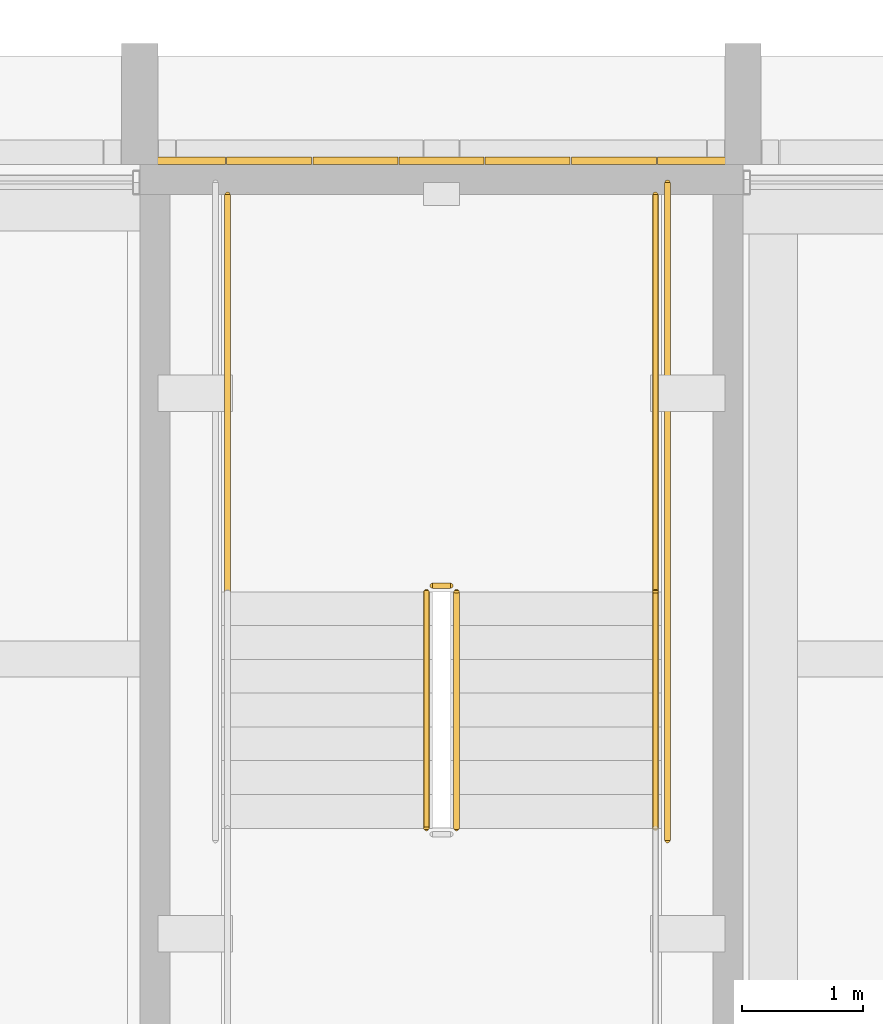
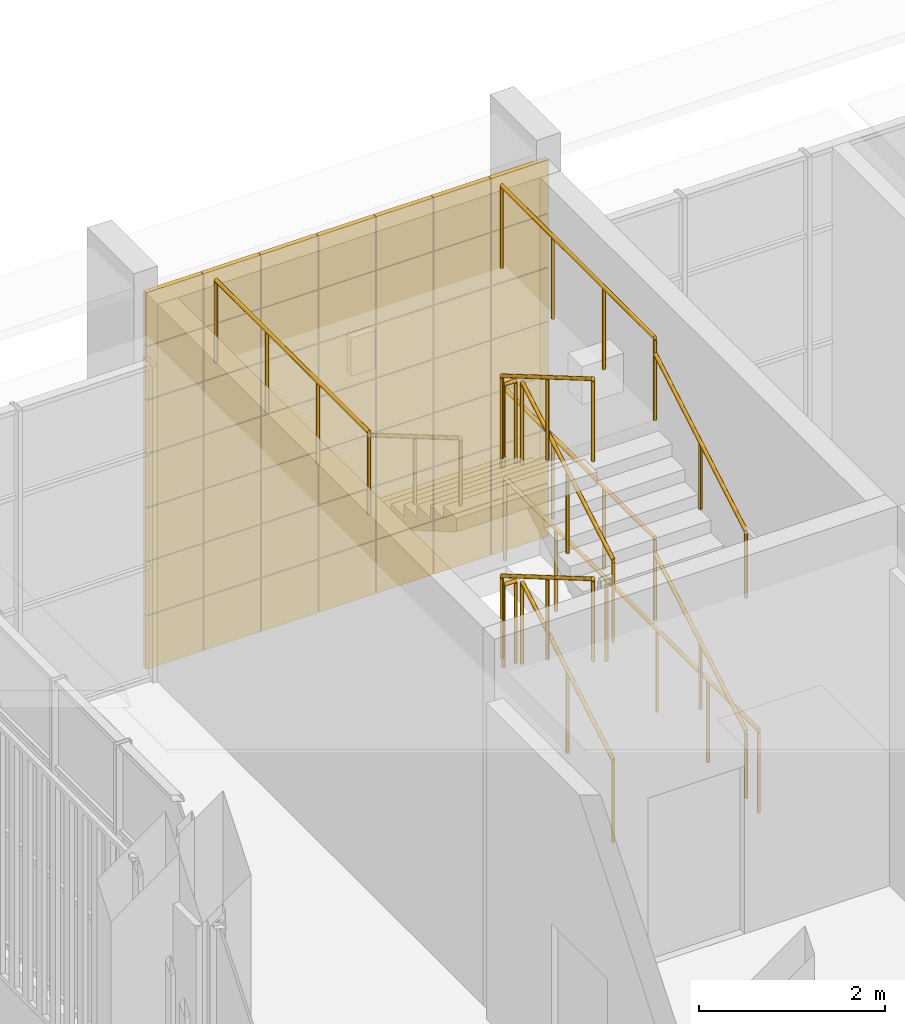
# One storey, part 122 of 125: 12 railings, 1 covering.
"""IFC4 building model written with IfcOpenShell, lengths in metres."""

from ifc_helpers import new_model, si_unit, direction, frame, origin, origin_2d, place, context, subcontext, project, spatial, rectangle, circle, extrude, material, layer, layer_set, type_object, element, save


model = new_model("IFC4")

# Units and contexts
model_context = context("Model", 3, precision=1e-05, world=origin(), true_north=direction((0.0, 1.0)))
body_context = subcontext(model_context, "Body", "Model", "MODEL_VIEW")
ifc_project = project(units=[si_unit("LENGTHUNIT", "METRE"), si_unit("AREAUNIT", "SQUARE_METRE"), si_unit("VOLUMEUNIT", "CUBIC_METRE"), si_unit("PLANEANGLEUNIT", "RADIAN"), si_unit("MASSUNIT", "GRAM", prefix="KILO")], contexts=[model_context])

# Site, building, storey
site_placement = place(None, origin())
site = spatial("IfcSite", under=ifc_project, at=site_placement, CompositionType="ELEMENT")
building_placement = place(site_placement, origin())
building = spatial("IfcBuilding", under=site, at=building_placement, Name="Sun Court Science Centre", CompositionType="ELEMENT")
storey_placement = place(building_placement, frame((0.0, 0.0, 6.0)))
storey = spatial("IfcBuildingStorey", under=building, at=storey_placement, Name="L01", CompositionType="ELEMENT", Elevation=6.0)

# Railings
ifc_material_1 = material(Name="Steel S275", Category="steel")
railing_type_1 = type_object("IfcRailingType", Name="Guard 1100 steel balustrade", PredefinedType="GUARDRAIL", material=ifc_material_1)
railing_1_placement = place(storey_placement, frame((84.625, 75.498046875, 0.1640625)))
element("IfcRailing", 1, at=railing_1_placement, inside=storey, type_object=railing_type_1, Name="L01 SL4 stair guard 1", PredefinedType="GUARDRAIL", context=body_context, shape_type="SweptSolid", body=[
    extrude(circle(Radius=0.02392578125, at=origin_2d()), frame((0.0, 0.0, 1.076171875), z_axis=(0.0, 0.862794965445, 0.505554000679), x_axis=(-1.0, 0.0, 0.0)), (0.0, 0.0, 1.0), 2.271728515625),
    extrude(circle(Radius=0.02099609375, at=origin_2d()), origin(), (0.0, 0.0, 1.0), 1.052001953125),
    extrude(circle(Radius=0.02099609375, at=origin_2d()), frame((0.0, 0.97998046875, 0.57421875)), (0.0, 0.0, 1.0), 1.052001953125),
    extrude(circle(Radius=0.02099609375, at=origin_2d()), frame((0.0, 1.9599609375, 1.1484375)), (0.0, 0.0, 1.0), 1.052001953125),
])
railing_2_placement = place(storey_placement, frame((84.574951171875, 77.508056640625, 1.3125)))
element("IfcRailing", 2, at=railing_2_placement, inside=storey, type_object=railing_type_1, Name="L01 SL4 stair guard 2", PredefinedType="GUARDRAIL", context=body_context, shape_type="SweptSolid", body=[
    extrude(circle(Radius=0.02392578125, at=origin_2d()), frame((0.0, 0.0, 1.076171875), z_axis=(-1.0, 0.0, 0.0), x_axis=(0.0, -1.0, 0.0)), (0.0, 0.0, 1.0), 0.14990234375),
    extrude(circle(Radius=0.02099609375, at=origin_2d()), origin(), (0.0, 0.0, 1.0), 1.052001953125),
    extrude(circle(Radius=0.02099609375, at=origin_2d()), frame((-0.14990234375, 0.0, 0.0)), (0.0, 0.0, 1.0), 1.052001953125),
])
railing_3_placement = place(storey_placement, frame((86.27294921875, 77.4580078125, 1.3125)))
element("IfcRailing", 3, at=railing_3_placement, inside=storey, type_object=railing_type_1, Name="L01 SL4 stair guard 3", PredefinedType="GUARDRAIL", context=body_context, shape_type="SweptSolid", body=[
    extrude(circle(Radius=0.02392578125, at=origin_2d()), frame((0.0, 0.0, 1.076171875), z_axis=(0.0, 1.0, 0.0), x_axis=(-1.0, 0.0, 0.0)), (0.0, 0.0, 1.0), 3.2919921875),
    extrude(circle(Radius=0.02099609375, at=origin_2d()), origin(), (0.0, 0.0, 1.0), 1.052001953125),
    extrude(circle(Radius=0.02099609375, at=origin_2d()), frame((0.0, 1.097412109375, 0.0)), (0.0, 0.0, 1.0), 1.052001953125),
    extrude(circle(Radius=0.02099609375, at=origin_2d()), frame((0.0, 2.194580078125, 0.0)), (0.0, 0.0, 1.0), 1.052001953125),
    extrude(circle(Radius=0.02099609375, at=origin_2d()), frame((0.0, 3.2919921875, 0.0)), (0.0, 0.0, 1.0), 1.052001953125),
])
railing_4_placement = place(storey_placement, frame((84.375, 77.4580078125, 1.4765625)))
element("IfcRailing", 4, at=railing_4_placement, inside=storey, type_object=railing_type_1, Name="L01 SL4 stair guard 5", PredefinedType="GUARDRAIL", context=body_context, shape_type="SweptSolid", body=[
    extrude(circle(Radius=0.02392578125, at=origin_2d()), frame((0.0, 0.0, 1.076171875), z_axis=(0.0, -0.862794965445, 0.505554000679), x_axis=(1.0, 0.0, 0.0)), (0.0, 0.0, 1.0), 2.271728515625),
    extrude(circle(Radius=0.02099609375, at=origin_2d()), origin(), (0.0, 0.0, 1.0), 1.052001953125),
    extrude(circle(Radius=0.02099609375, at=origin_2d()), frame((0.0, -0.97998046875, 0.57421875)), (0.0, 0.0, 1.0), 1.052001953125),
    extrude(circle(Radius=0.02099609375, at=origin_2d()), frame((0.0, -1.9599609375, 1.1484375)), (0.0, 0.0, 1.0), 1.052001953125),
])
railing_5_placement = place(storey_placement, frame((84.625, 75.498046875, 2.7890625)))
element("IfcRailing", 5, at=railing_5_placement, inside=storey, type_object=railing_type_1, Name="L01 SL4 stair guard 9", PredefinedType="GUARDRAIL", context=body_context, shape_type="SweptSolid", body=[
    extrude(circle(Radius=0.02392578125, at=origin_2d()), frame((0.0, 0.0, 1.076171875), z_axis=(0.0, 0.862794965445, 0.505554000679), x_axis=(-1.0, 0.0, 0.0)), (0.0, 0.0, 1.0), 2.271728515625),
    extrude(circle(Radius=0.02099609375, at=origin_2d()), origin(), (0.0, 0.0, 1.0), 1.052001953125),
    extrude(circle(Radius=0.02099609375, at=origin_2d()), frame((0.0, 0.97998046875, 0.57421875)), (0.0, 0.0, 1.0), 1.052001953125),
    extrude(circle(Radius=0.02099609375, at=origin_2d()), frame((0.0, 1.9599609375, 1.1484375)), (0.0, 0.0, 1.0), 1.052001953125),
])
railing_6_placement = place(storey_placement, frame((84.574951171875, 77.508056640625, 3.9375)))
element("IfcRailing", 6, at=railing_6_placement, inside=storey, type_object=railing_type_1, Name="L01 SL4 stair guard 10", PredefinedType="GUARDRAIL", context=body_context, shape_type="SweptSolid", body=[
    extrude(circle(Radius=0.02392578125, at=origin_2d()), frame((0.0, 0.0, 1.076171875), z_axis=(-1.0, 0.0, 0.0), x_axis=(0.0, -1.0, 0.0)), (0.0, 0.0, 1.0), 0.14990234375),
    extrude(circle(Radius=0.02099609375, at=origin_2d()), origin(), (0.0, 0.0, 1.0), 1.052001953125),
    extrude(circle(Radius=0.02099609375, at=origin_2d()), frame((-0.14990234375, 0.0, 0.0)), (0.0, 0.0, 1.0), 1.052001953125),
])
for number, where, name in (
    (7, (86.27294921875, 77.4580078125, 3.9375), "L01 SL4 stair guard 11"),
    (8, (82.72705078125, 77.4580078125, 3.9375), "L01 SL4 stair guard 12"),
):
    element("IfcRailing", number, at=place(storey_placement, frame(where)), inside=storey, type_object=railing_type_1, Name=name, PredefinedType="GUARDRAIL", context=body_context, shape_type="SweptSolid", body=[
        extrude(circle(Radius=0.02392578125, at=origin_2d()), frame((0.0, 0.0, 1.076171875), z_axis=(0.0, 1.0, 0.0), x_axis=(-1.0, 0.0, 0.0)), (0.0, 0.0, 1.0), 3.2919921875),
        extrude(circle(Radius=0.02099609375, at=origin_2d()), origin(), (0.0, 0.0, 1.0), 1.052001953125),
        extrude(circle(Radius=0.02099609375, at=origin_2d()), frame((0.0, 1.097412109375, 0.0)), (0.0, 0.0, 1.0), 1.052001953125),
        extrude(circle(Radius=0.02099609375, at=origin_2d()), frame((0.0, 2.194580078125, 0.0)), (0.0, 0.0, 1.0), 1.052001953125),
        extrude(circle(Radius=0.02099609375, at=origin_2d()), frame((0.0, 3.2919921875, 0.0)), (0.0, 0.0, 1.0), 1.052001953125),
    ])
railing_7_placement = place(storey_placement, frame((84.375, 77.4580078125, 4.1015625)))
element("IfcRailing", 9, at=railing_7_placement, inside=storey, type_object=railing_type_1, Name="L01 SL4 stair guard 13", PredefinedType="GUARDRAIL", context=body_context, shape_type="SweptSolid", body=[
    extrude(circle(Radius=0.02392578125, at=origin_2d()), frame((0.0, 0.0, 1.076171875), z_axis=(0.0, -0.862794965445, 0.505554000679), x_axis=(1.0, 0.0, 0.0)), (0.0, 0.0, 1.0), 2.271728515625),
    extrude(circle(Radius=0.02099609375, at=origin_2d()), origin(), (0.0, 0.0, 1.0), 1.052001953125),
    extrude(circle(Radius=0.02099609375, at=origin_2d()), frame((0.0, -0.97998046875, 0.57421875)), (0.0, 0.0, 1.0), 1.052001953125),
    extrude(circle(Radius=0.02099609375, at=origin_2d()), frame((0.0, -1.9599609375, 1.1484375)), (0.0, 0.0, 1.0), 1.052001953125),
])
railing_8_placement = place(storey_placement, frame((86.373046875, 75.39794921875, 0.0)))
element("IfcRailing", 10, at=railing_8_placement, inside=storey, type_object=railing_type_1, Name="L01 SL4 stair guard 17", PredefinedType="GUARDRAIL", context=body_context, shape_type="SweptSolid", body=[
    extrude(circle(Radius=0.02392578125, at=origin_2d()), frame((0.0, 0.0, 1.076171875), z_axis=(0.0, 1.0, 0.0), x_axis=(-1.0, 0.0, 0.0)), (0.0, 0.0, 1.0), 5.4521484375),
    extrude(circle(Radius=0.02099609375, at=origin_2d()), origin(), (0.0, 0.0, 1.0), 1.052001953125),
    extrude(circle(Radius=0.02099609375, at=origin_2d()), frame((0.0, 1.09033203125, 0.0)), (0.0, 0.0, 1.0), 1.052001953125),
    extrude(circle(Radius=0.02099609375, at=origin_2d()), frame((0.0, 2.180908203125, 0.0)), (0.0, 0.0, 1.0), 1.052001953125),
    extrude(circle(Radius=0.02099609375, at=origin_2d()), frame((0.0, 3.271240234375, 0.0)), (0.0, 0.0, 1.0), 1.052001953125),
    extrude(circle(Radius=0.02099609375, at=origin_2d()), frame((0.0, 4.36181640625, 0.0)), (0.0, 0.0, 1.0), 1.052001953125),
    extrude(circle(Radius=0.02099609375, at=origin_2d()), frame((0.0, 5.4521484375, 0.0)), (0.0, 0.0, 1.0), 1.052001953125),
])
ifc_material_2 = material(Name="Stainless steel", Category="steel")
railing_type_2 = type_object("IfcRailingType", Name="Handrail 900 stainless", PredefinedType="HANDRAIL", material=ifc_material_2)
for number, where, name in (
    (11, (86.27294921875, 75.498046875, 0.1640625), "L01 SL4 stair handrail 1"),
    (12, (86.27294921875, 75.498046875, 2.7890625), "L01 SL4 stair handrail 3"),
):
    element("IfcRailing", number, at=place(storey_placement, frame(where)), inside=storey, type_object=railing_type_2, Name=name, PredefinedType="HANDRAIL", context=body_context, shape_type="SweptSolid", body=[
        extrude(circle(Radius=0.02392578125, at=origin_2d()), frame((0.0, 0.0, 0.8759765625), z_axis=(0.0, 0.862794965445, 0.505554000679), x_axis=(-1.0, 0.0, 0.0)), (0.0, 0.0, 1.0), 2.271728515625),
        extrude(circle(Radius=0.02099609375, at=origin_2d()), origin(), (0.0, 0.0, 1.0), 0.851806640625),
        extrude(circle(Radius=0.02099609375, at=origin_2d()), frame((0.0, 0.97998046875, 0.57421875)), (0.0, 0.0, 1.0), 0.851806640625),
        extrude(circle(Radius=0.02099609375, at=origin_2d()), frame((0.0, 1.9599609375, 1.1484375)), (0.0, 0.0, 1.0), 0.851806640625),
    ])

# Covering
ifc_material_3 = material(Name="Red sandstone", Category="masonry")
ifc_layer = layer(ifc_material_3, 0.06005859375)
ifc_layer_set = layer_set([ifc_layer], Name="Red sandstone")
covering_type = type_object("IfcCoveringType", Name="Red sandstone wall cladding 750", PredefinedType="CLADDING", material=ifc_layer_set)
covering_placement = place(storey_placement, frame((0.0, 0.0, -6.0)))
element("IfcCovering", 13, at=covering_placement, inside=storey, type_object=covering_type, Name="Red sandstone wall cladding north face L01", PredefinedType="CLADDING", context=body_context, shape_type="SweptSolid", body=[
    extrude(rectangle(XDim=0.704345703125, YDim=0.06005859375, at=origin_2d()), frame((82.357177734375, 81.030029296875, 6.0048828125), z_axis=(0.0, 0.0, 1.0), x_axis=(1.0, 0.0, 0.0)), (0.0, 0.0, 1.0), 0.697021484375),
    extrude(rectangle(XDim=0.704345703125, YDim=0.06005859375, at=origin_2d()), frame((83.071533203125, 81.030029296875, 6.0048828125), z_axis=(0.0, 0.0, 1.0), x_axis=(1.0, 0.0, 0.0)), (0.0, 0.0, 1.0), 0.697021484375),
    extrude(rectangle(XDim=0.704345703125, YDim=0.06005859375, at=origin_2d()), frame((83.78564453125, 81.030029296875, 6.0048828125), z_axis=(0.0, 0.0, 1.0), x_axis=(1.0, 0.0, 0.0)), (0.0, 0.0, 1.0), 0.697021484375),
    extrude(rectangle(XDim=0.704345703125, YDim=0.06005859375, at=origin_2d()), frame((84.5, 81.030029296875, 6.0048828125), z_axis=(0.0, 0.0, 1.0), x_axis=(1.0, 0.0, 0.0)), (0.0, 0.0, 1.0), 0.697021484375),
    extrude(rectangle(XDim=0.704345703125, YDim=0.06005859375, at=origin_2d()), frame((85.21435546875, 81.030029296875, 6.0048828125), z_axis=(0.0, 0.0, 1.0), x_axis=(1.0, 0.0, 0.0)), (0.0, 0.0, 1.0), 0.697021484375),
    extrude(rectangle(XDim=0.704345703125, YDim=0.06005859375, at=origin_2d()), frame((85.928466796875, 81.030029296875, 6.0048828125), z_axis=(0.0, 0.0, 1.0), x_axis=(1.0, 0.0, 0.0)), (0.0, 0.0, 1.0), 0.697021484375),
    extrude(rectangle(XDim=0.704345703125, YDim=0.06005859375, at=origin_2d()), frame((86.642822265625, 81.030029296875, 6.0048828125), z_axis=(0.0, 0.0, 1.0), x_axis=(1.0, 0.0, 0.0)), (0.0, 0.0, 1.0), 0.697021484375),
    extrude(rectangle(XDim=0.704345703125, YDim=0.06005859375, at=origin_2d()), frame((82.357177734375, 81.030029296875, 6.71240234375), z_axis=(0.0, 0.0, 1.0), x_axis=(1.0, 0.0, 0.0)), (0.0, 0.0, 1.0), 0.697021484375),
    extrude(rectangle(XDim=0.704345703125, YDim=0.06005859375, at=origin_2d()), frame((83.071533203125, 81.030029296875, 6.71240234375), z_axis=(0.0, 0.0, 1.0), x_axis=(1.0, 0.0, 0.0)), (0.0, 0.0, 1.0), 0.697021484375),
    extrude(rectangle(XDim=0.704345703125, YDim=0.06005859375, at=origin_2d()), frame((83.78564453125, 81.030029296875, 6.71240234375), z_axis=(0.0, 0.0, 1.0), x_axis=(1.0, 0.0, 0.0)), (0.0, 0.0, 1.0), 0.697021484375),
    extrude(rectangle(XDim=0.704345703125, YDim=0.06005859375, at=origin_2d()), frame((84.5, 81.030029296875, 6.71240234375), z_axis=(0.0, 0.0, 1.0), x_axis=(1.0, 0.0, 0.0)), (0.0, 0.0, 1.0), 0.697021484375),
    extrude(rectangle(XDim=0.704345703125, YDim=0.06005859375, at=origin_2d()), frame((85.21435546875, 81.030029296875, 6.71240234375), z_axis=(0.0, 0.0, 1.0), x_axis=(1.0, 0.0, 0.0)), (0.0, 0.0, 1.0), 0.697021484375),
    extrude(rectangle(XDim=0.704345703125, YDim=0.06005859375, at=origin_2d()), frame((85.928466796875, 81.030029296875, 6.71240234375), z_axis=(0.0, 0.0, 1.0), x_axis=(1.0, 0.0, 0.0)), (0.0, 0.0, 1.0), 0.697021484375),
    extrude(rectangle(XDim=0.704345703125, YDim=0.06005859375, at=origin_2d()), frame((86.642822265625, 81.030029296875, 6.71240234375), z_axis=(0.0, 0.0, 1.0), x_axis=(1.0, 0.0, 0.0)), (0.0, 0.0, 1.0), 0.697021484375),
    extrude(rectangle(XDim=0.704345703125, YDim=0.06005859375, at=origin_2d()), frame((82.357177734375, 81.030029296875, 7.41943359375), z_axis=(0.0, 0.0, 1.0), x_axis=(1.0, 0.0, 0.0)), (0.0, 0.0, 1.0), 0.697021484375),
    extrude(rectangle(XDim=0.704345703125, YDim=0.06005859375, at=origin_2d()), frame((83.071533203125, 81.030029296875, 7.41943359375), z_axis=(0.0, 0.0, 1.0), x_axis=(1.0, 0.0, 0.0)), (0.0, 0.0, 1.0), 0.697021484375),
    extrude(rectangle(XDim=0.704345703125, YDim=0.06005859375, at=origin_2d()), frame((83.78564453125, 81.030029296875, 7.41943359375), z_axis=(0.0, 0.0, 1.0), x_axis=(1.0, 0.0, 0.0)), (0.0, 0.0, 1.0), 0.697021484375),
    extrude(rectangle(XDim=0.704345703125, YDim=0.06005859375, at=origin_2d()), frame((84.5, 81.030029296875, 7.41943359375), z_axis=(0.0, 0.0, 1.0), x_axis=(1.0, 0.0, 0.0)), (0.0, 0.0, 1.0), 0.697021484375),
    extrude(rectangle(XDim=0.704345703125, YDim=0.06005859375, at=origin_2d()), frame((85.21435546875, 81.030029296875, 7.41943359375), z_axis=(0.0, 0.0, 1.0), x_axis=(1.0, 0.0, 0.0)), (0.0, 0.0, 1.0), 0.697021484375),
    extrude(rectangle(XDim=0.704345703125, YDim=0.06005859375, at=origin_2d()), frame((85.928466796875, 81.030029296875, 7.41943359375), z_axis=(0.0, 0.0, 1.0), x_axis=(1.0, 0.0, 0.0)), (0.0, 0.0, 1.0), 0.697021484375),
    extrude(rectangle(XDim=0.704345703125, YDim=0.06005859375, at=origin_2d()), frame((86.642822265625, 81.030029296875, 7.41943359375), z_axis=(0.0, 0.0, 1.0), x_axis=(1.0, 0.0, 0.0)), (0.0, 0.0, 1.0), 0.697021484375),
    extrude(rectangle(XDim=0.704345703125, YDim=0.06005859375, at=origin_2d()), frame((82.357177734375, 81.030029296875, 8.12646484375), z_axis=(0.0, 0.0, 1.0), x_axis=(1.0, 0.0, 0.0)), (0.0, 0.0, 1.0), 0.697021484375),
    extrude(rectangle(XDim=0.704345703125, YDim=0.06005859375, at=origin_2d()), frame((83.071533203125, 81.030029296875, 8.12646484375), z_axis=(0.0, 0.0, 1.0), x_axis=(1.0, 0.0, 0.0)), (0.0, 0.0, 1.0), 0.697021484375),
    extrude(rectangle(XDim=0.704345703125, YDim=0.06005859375, at=origin_2d()), frame((83.78564453125, 81.030029296875, 8.12646484375), z_axis=(0.0, 0.0, 1.0), x_axis=(1.0, 0.0, 0.0)), (0.0, 0.0, 1.0), 0.697021484375),
    extrude(rectangle(XDim=0.704345703125, YDim=0.06005859375, at=origin_2d()), frame((84.5, 81.030029296875, 8.12646484375), z_axis=(0.0, 0.0, 1.0), x_axis=(1.0, 0.0, 0.0)), (0.0, 0.0, 1.0), 0.697021484375),
    extrude(rectangle(XDim=0.704345703125, YDim=0.06005859375, at=origin_2d()), frame((85.21435546875, 81.030029296875, 8.12646484375), z_axis=(0.0, 0.0, 1.0), x_axis=(1.0, 0.0, 0.0)), (0.0, 0.0, 1.0), 0.697021484375),
    extrude(rectangle(XDim=0.704345703125, YDim=0.06005859375, at=origin_2d()), frame((85.928466796875, 81.030029296875, 8.12646484375), z_axis=(0.0, 0.0, 1.0), x_axis=(1.0, 0.0, 0.0)), (0.0, 0.0, 1.0), 0.697021484375),
    extrude(rectangle(XDim=0.704345703125, YDim=0.06005859375, at=origin_2d()), frame((86.642822265625, 81.030029296875, 8.12646484375), z_axis=(0.0, 0.0, 1.0), x_axis=(1.0, 0.0, 0.0)), (0.0, 0.0, 1.0), 0.697021484375),
    extrude(rectangle(XDim=0.704345703125, YDim=0.06005859375, at=origin_2d()), frame((82.357177734375, 81.030029296875, 8.83349609375), z_axis=(0.0, 0.0, 1.0), x_axis=(1.0, 0.0, 0.0)), (0.0, 0.0, 1.0), 0.697021484375),
    extrude(rectangle(XDim=0.704345703125, YDim=0.06005859375, at=origin_2d()), frame((83.071533203125, 81.030029296875, 8.83349609375), z_axis=(0.0, 0.0, 1.0), x_axis=(1.0, 0.0, 0.0)), (0.0, 0.0, 1.0), 0.697021484375),
    extrude(rectangle(XDim=0.704345703125, YDim=0.06005859375, at=origin_2d()), frame((83.78564453125, 81.030029296875, 8.83349609375), z_axis=(0.0, 0.0, 1.0), x_axis=(1.0, 0.0, 0.0)), (0.0, 0.0, 1.0), 0.697021484375),
    extrude(rectangle(XDim=0.704345703125, YDim=0.06005859375, at=origin_2d()), frame((84.5, 81.030029296875, 8.83349609375), z_axis=(0.0, 0.0, 1.0), x_axis=(1.0, 0.0, 0.0)), (0.0, 0.0, 1.0), 0.697021484375),
    extrude(rectangle(XDim=0.704345703125, YDim=0.06005859375, at=origin_2d()), frame((85.21435546875, 81.030029296875, 8.83349609375), z_axis=(0.0, 0.0, 1.0), x_axis=(1.0, 0.0, 0.0)), (0.0, 0.0, 1.0), 0.697021484375),
    extrude(rectangle(XDim=0.704345703125, YDim=0.06005859375, at=origin_2d()), frame((85.928466796875, 81.030029296875, 8.83349609375), z_axis=(0.0, 0.0, 1.0), x_axis=(1.0, 0.0, 0.0)), (0.0, 0.0, 1.0), 0.697021484375),
    extrude(rectangle(XDim=0.704345703125, YDim=0.06005859375, at=origin_2d()), frame((86.642822265625, 81.030029296875, 8.83349609375), z_axis=(0.0, 0.0, 1.0), x_axis=(1.0, 0.0, 0.0)), (0.0, 0.0, 1.0), 0.697021484375),
    extrude(rectangle(XDim=0.704345703125, YDim=0.06005859375, at=origin_2d()), frame((82.357177734375, 81.030029296875, 9.541015625), z_axis=(0.0, 0.0, 1.0), x_axis=(1.0, 0.0, 0.0)), (0.0, 0.0, 1.0), 0.697021484375),
    extrude(rectangle(XDim=0.704345703125, YDim=0.06005859375, at=origin_2d()), frame((83.071533203125, 81.030029296875, 9.541015625), z_axis=(0.0, 0.0, 1.0), x_axis=(1.0, 0.0, 0.0)), (0.0, 0.0, 1.0), 0.697021484375),
    extrude(rectangle(XDim=0.704345703125, YDim=0.06005859375, at=origin_2d()), frame((83.78564453125, 81.030029296875, 9.541015625), z_axis=(0.0, 0.0, 1.0), x_axis=(1.0, 0.0, 0.0)), (0.0, 0.0, 1.0), 0.697021484375),
    extrude(rectangle(XDim=0.704345703125, YDim=0.06005859375, at=origin_2d()), frame((84.5, 81.030029296875, 9.541015625), z_axis=(0.0, 0.0, 1.0), x_axis=(1.0, 0.0, 0.0)), (0.0, 0.0, 1.0), 0.697021484375),
    extrude(rectangle(XDim=0.704345703125, YDim=0.06005859375, at=origin_2d()), frame((85.21435546875, 81.030029296875, 9.541015625), z_axis=(0.0, 0.0, 1.0), x_axis=(1.0, 0.0, 0.0)), (0.0, 0.0, 1.0), 0.697021484375),
    extrude(rectangle(XDim=0.704345703125, YDim=0.06005859375, at=origin_2d()), frame((85.928466796875, 81.030029296875, 9.541015625), z_axis=(0.0, 0.0, 1.0), x_axis=(1.0, 0.0, 0.0)), (0.0, 0.0, 1.0), 0.697021484375),
    extrude(rectangle(XDim=0.704345703125, YDim=0.06005859375, at=origin_2d()), frame((86.642822265625, 81.030029296875, 9.541015625), z_axis=(0.0, 0.0, 1.0), x_axis=(1.0, 0.0, 0.0)), (0.0, 0.0, 1.0), 0.697021484375),
    extrude(rectangle(XDim=0.704345703125, YDim=0.06005859375, at=origin_2d()), frame((82.357177734375, 81.030029296875, 10.248046875), z_axis=(0.0, 0.0, 1.0), x_axis=(1.0, 0.0, 0.0)), (0.0, 0.0, 1.0), 0.697021484375),
    extrude(rectangle(XDim=0.704345703125, YDim=0.06005859375, at=origin_2d()), frame((83.071533203125, 81.030029296875, 10.248046875), z_axis=(0.0, 0.0, 1.0), x_axis=(1.0, 0.0, 0.0)), (0.0, 0.0, 1.0), 0.697021484375),
    extrude(rectangle(XDim=0.704345703125, YDim=0.06005859375, at=origin_2d()), frame((83.78564453125, 81.030029296875, 10.248046875), z_axis=(0.0, 0.0, 1.0), x_axis=(1.0, 0.0, 0.0)), (0.0, 0.0, 1.0), 0.697021484375),
    extrude(rectangle(XDim=0.704345703125, YDim=0.06005859375, at=origin_2d()), frame((84.5, 81.030029296875, 10.248046875), z_axis=(0.0, 0.0, 1.0), x_axis=(1.0, 0.0, 0.0)), (0.0, 0.0, 1.0), 0.697021484375),
    extrude(rectangle(XDim=0.704345703125, YDim=0.06005859375, at=origin_2d()), frame((85.21435546875, 81.030029296875, 10.248046875), z_axis=(0.0, 0.0, 1.0), x_axis=(1.0, 0.0, 0.0)), (0.0, 0.0, 1.0), 0.697021484375),
    extrude(rectangle(XDim=0.704345703125, YDim=0.06005859375, at=origin_2d()), frame((85.928466796875, 81.030029296875, 10.248046875), z_axis=(0.0, 0.0, 1.0), x_axis=(1.0, 0.0, 0.0)), (0.0, 0.0, 1.0), 0.697021484375),
    extrude(rectangle(XDim=0.704345703125, YDim=0.06005859375, at=origin_2d()), frame((86.642822265625, 81.030029296875, 10.248046875), z_axis=(0.0, 0.0, 1.0), x_axis=(1.0, 0.0, 0.0)), (0.0, 0.0, 1.0), 0.697021484375),
])

save(model, "model.ifc")
